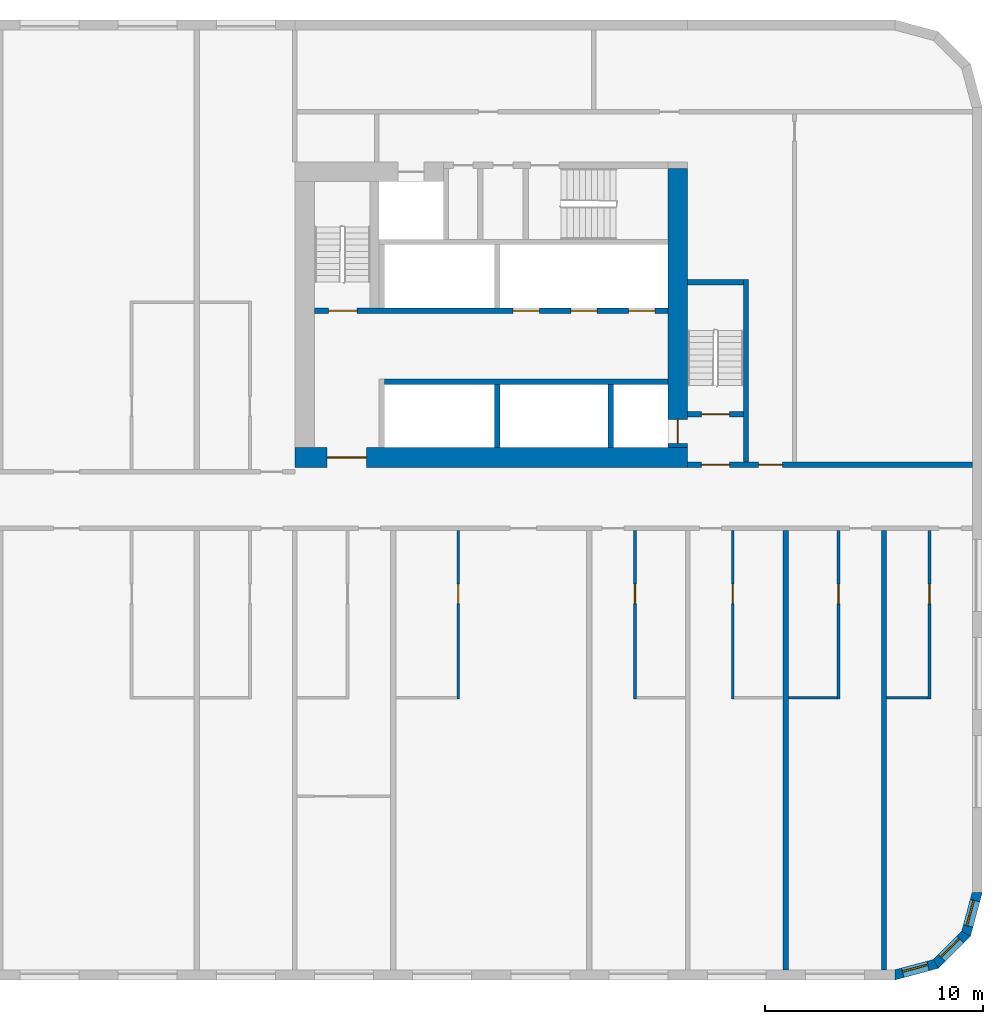
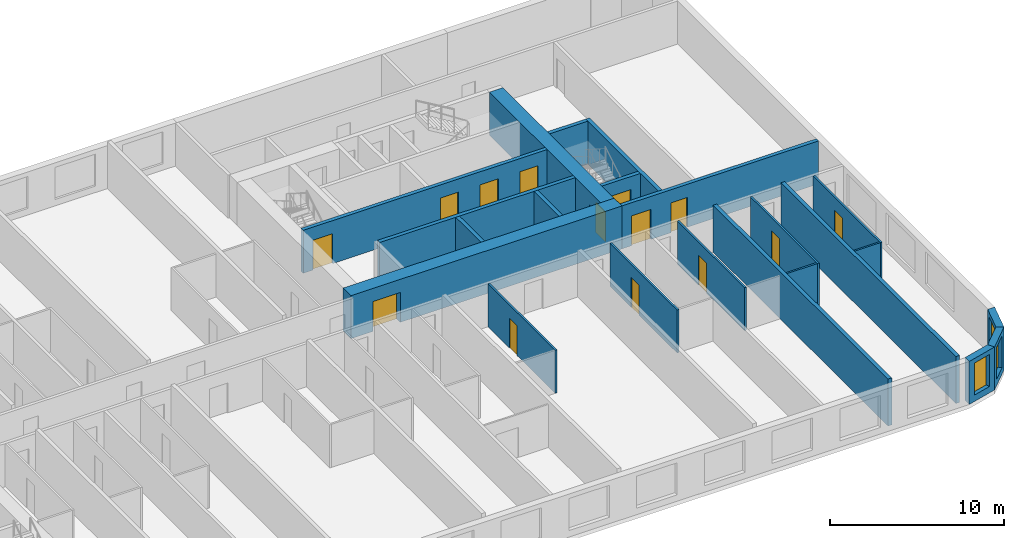
# One storey, part 7 of 12: 22 walls, 14 doors, 3 windows, 17 openings.
"""IFC4 building model written with IfcOpenShell, lengths in metres."""

from ifc_helpers import new_model, si_unit, direction, frame, frame_2d, origin, place, context, subcontext, project, spatial, polyline, rectangle, outline, extrude, material, layer, layer_set, type_object, element, fill, save


model = new_model("IFC4")

# Units and contexts
model_context = context("Model", 3, precision=1e-05, world=origin(), true_north=direction((0.0, 1.0)))
body_context = subcontext(model_context, "Body", "Model", "MODEL_VIEW")
ifc_project = project(units=[si_unit("LENGTHUNIT", "METRE"), si_unit("AREAUNIT", "SQUARE_METRE"), si_unit("VOLUMEUNIT", "CUBIC_METRE"), si_unit("PLANEANGLEUNIT", "RADIAN"), si_unit("MASSUNIT", "GRAM", prefix="KILO")], contexts=[model_context])

# Site, building, storey
site_placement = place(None, origin())
site = spatial("IfcSite", under=ifc_project, at=site_placement, CompositionType="ELEMENT")
building_placement = place(site_placement, origin())
building = spatial("IfcBuilding", under=site, at=building_placement, Name="Kajstack Hotel Tower", CompositionType="ELEMENT")
storey_placement = place(building_placement, frame((0.0, 0.0, 83.10009765625)))
storey = spatial("IfcBuildingStorey", under=building, at=storey_placement, Name="L16", CompositionType="ELEMENT", Elevation=83.10009765625)

# Wall, opening, door
ifc_material_1 = material(Name="Concrete C60/75", Category="concrete")
ifc_layer_1 = layer(ifc_material_1, 0.89990234375)
ifc_layer_set_1 = layer_set([ifc_layer_1], Name="Core wall 900")
wall_type_1 = type_object("IfcWallType", Name="Core wall 900", PredefinedType="SHEAR", material=ifc_layer_set_1)
wall_1_placement = place(storey_placement, frame((13.5, 1.949951171875, 0.0), z_axis=(0.0, 0.0, 1.0), x_axis=(1.0, 0.0, 0.0)))
wall_1 = element("IfcWall", 1, at=wall_1_placement, inside=storey, type_object=wall_type_1, Name="Core wall E RN", PredefinedType="SHEAR", context=body_context, shape_type="SweptSolid", body=[
    extrude(rectangle(XDim=18.0, YDim=0.89990234375, at=frame_2d((9.0, 0.0))), origin(), (0.0, 0.0, 1.0), 3.02001953125),
])
opening_1_placement = place(wall_1_placement, frame((1.47509765625, 0.0, 0.0)))
opening_1 = element("IfcOpeningElement", 2, at=opening_1_placement, cuts=wall_1, Name="Opening 16E06", PredefinedType="OPENING", context=body_context, shape_type="SweptSolid", body=[
    extrude(rectangle(XDim=1.800048828125, YDim=2.10009765625, at=frame_2d((0.89990234375, 1.050048828125))), frame((0.0, 0.4599609375, 0.0), z_axis=(0.0, -1.0, 0.0), x_axis=(1.0, 0.0, 0.0)), (0.0, 0.0, 1.0), 0.919921875),
])
ifc_material_2 = material(Name="Glazed steel frame, fire-rated glass", Category="steel")
door_type_1 = type_object("IfcDoorType", Name="Lobby double door 1800", OperationType="DOUBLE_DOOR_DOUBLE_SWING", PredefinedType="DOOR", material=ifc_material_2)
door_1_placement = place(opening_1_placement, origin())
door_1 = element("IfcDoor", 3, at=door_1_placement, inside=storey, type_object=door_type_1, Name="Door 16E06", OperationType="DOUBLE_DOOR_DOUBLE_SWING", OverallHeight=2.10009765625, OverallWidth=1.800048828125, PredefinedType="DOOR", context=body_context, shape_type="SweptSolid", body=[
    extrude(rectangle(XDim=1.800048828125, YDim=2.10009765625, at=frame_2d((0.89990234375, 1.050048828125))), frame((0.0, 0.02490234375, 0.0), z_axis=(0.0, -1.0, 0.0), x_axis=(1.0, 0.0, 0.0)), (0.0, 0.0, 1.0), 0.050048828125),
])
fill(opening_1, door_1)

wall_2_placement = place(storey_placement, frame((31.050048828125, 2.39990234375, 0.0), z_axis=(0.0, 0.0, 1.0), x_axis=(0.0, 1.0, 0.0)))
wall_2 = element("IfcWall", 4, at=wall_2_placement, inside=storey, type_object=wall_type_1, Name="Core wall E RW", PredefinedType="SHEAR", context=body_context, shape_type="SweptSolid", body=[
    extrude(rectangle(XDim=12.800048828125, YDim=0.89990234375, at=frame_2d((6.39990234375, 0.0))), origin(), (0.0, 0.0, 1.0), 3.02001953125),
])
opening_2_placement = place(wall_2_placement, frame((0.199951171875, 0.0, 0.0)))
opening_2 = element("IfcOpeningElement", 5, at=opening_2_placement, cuts=wall_2, Name="Opening LD-FF2", PredefinedType="OPENING", context=body_context, shape_type="SweptSolid", body=[
    extrude(rectangle(XDim=1.10009765625, YDim=2.10009765625, at=frame_2d((0.550048828125, 1.050048828125))), frame((0.0, 0.4599609375, 0.0), z_axis=(0.0, -1.0, 0.0), x_axis=(1.0, 0.0, 0.0)), (0.0, 0.0, 1.0), 0.919921875),
])
ifc_material_3 = material(Name="Stainless steel", Category="steel")
door_type_2 = type_object("IfcDoorType", Name="Fire-fighting lift landing door 1100", OperationType="SLIDING_TO_LEFT", PredefinedType="DOOR", material=ifc_material_3)
door_2_placement = place(opening_2_placement, origin())
door_2 = element("IfcDoor", 6, at=door_2_placement, inside=storey, type_object=door_type_2, Name="Landing door FF2", OperationType="SLIDING_TO_LEFT", OverallHeight=2.10009765625, OverallWidth=1.10009765625, PredefinedType="DOOR", context=body_context, shape_type="SweptSolid", body=[
    extrude(rectangle(XDim=1.10009765625, YDim=2.10009765625, at=frame_2d((0.550048828125, 1.050048828125))), frame((0.0, 0.02490234375, 0.0), z_axis=(0.0, -1.0, 0.0), x_axis=(1.0, 0.0, 0.0)), (0.0, 0.0, 1.0), 0.050048828125),
])
fill(opening_2, door_2)

# Wall, opening, window
ifc_material_4 = material(Name="Terracotta-faced brick masonry", Category="masonry")
ifc_layer_2 = layer(ifc_material_4, 0.449951171875)
ifc_layer_set_2 = layer_set([ifc_layer_2], Name="EW-TERRA")
wall_type_2 = type_object("IfcWallType", Name="EW-TERRA", PredefinedType="SOLIDWALL", material=ifc_layer_set_2)
wall_3_placement = place(storey_placement, frame((40.941650390625, -21.78271484375, 0.0), z_axis=(0.0, 0.0, 1.0), x_axis=(0.965926999034, 0.25881466832, 0.0)))
wall_3 = element("IfcWall", 7, at=wall_3_placement, inside=storey, type_object=wall_type_2, Name="E-wall-L16-04-00", PredefinedType="SOLIDWALL", context=body_context, shape_type="SweptSolid", body=[
    extrude(outline(polyline([(0.000244140625, -0.22509765625), (2.070556640625, -0.224853515625), (1.9501953125, 0.22509765625), (0.12060546875, 0.22509765625), (0.000244140625, -0.22509765625)])), origin(), (0.0, 0.0, 1.0), 3.02001953125),
])
opening_3_placement = place(wall_3_placement, frame((0.435302734375, 0.0, 0.449951171875)))
opening_3 = element("IfcOpeningElement", 8, at=opening_3_placement, cuts=wall_3, Name="Opening W3", PredefinedType="OPENING", context=body_context, shape_type="SweptSolid", body=[
    extrude(rectangle(XDim=1.199951171875, YDim=2.25, at=frame_2d((0.60009765625, 1.125))), frame((0.0, 0.23486328125, 0.0), z_axis=(0.0, -1.0, 0.0), x_axis=(1.0, 0.0, 0.0)), (0.0, 0.0, 1.0), 0.469970703125),
])
ifc_material_5 = material(Name="Timber-aluminium window, triple glazed", Category="wood")
window_type = type_object("IfcWindowType", Name="WG3", PartitioningType="SINGLE_PANEL", PredefinedType="WINDOW", material=ifc_material_5)
window_1_placement = place(opening_3_placement, origin())
window_1 = element("IfcWindow", 9, at=window_1_placement, inside=storey, type_object=window_type, Name="Window W3 L16-04", OverallHeight=2.25, OverallWidth=1.199951171875, PartitioningType="SINGLE_PANEL", PredefinedType="WINDOW", context=body_context, shape_type="SweptSolid", body=[
    extrude(rectangle(XDim=1.199951171875, YDim=2.25, at=frame_2d((0.60009765625, 1.125))), frame((0.0, 0.090087890625, 0.0), z_axis=(0.0, -1.0, 0.0), x_axis=(1.0, 0.0, 0.0)), (0.0, 0.0, 1.0), 0.06005859375),
])
fill(opening_3, window_1)

wall_4_placement = place(storey_placement, frame((42.8408203125, -21.304931640625, 0.0), z_axis=(0.0, 0.0, 1.0), x_axis=(0.707106781187, 0.707106781187, 0.0)))
wall_4 = element("IfcWall", 10, at=wall_4_placement, inside=storey, type_object=wall_type_2, Name="E-wall-L16-05-00", PredefinedType="SOLIDWALL", context=body_context, shape_type="SweptSolid", body=[
    extrude(outline(polyline([(0.0, -0.22509765625), (2.070556640625, -0.22509765625), (1.949951171875, 0.224853515625), (0.12060546875, 0.224853515625), (0.0, -0.22509765625)])), origin(), (0.0, 0.0, 1.0), 3.02001953125),
])
opening_4_placement = place(wall_4_placement, frame((0.435302734375, 0.0, 0.449951171875)))
opening_4 = element("IfcOpeningElement", 11, at=opening_4_placement, cuts=wall_4, Name="Opening W3", PredefinedType="OPENING", context=body_context, shape_type="SweptSolid", body=[
    extrude(rectangle(XDim=1.199951171875, YDim=2.25, at=frame_2d((0.60009765625, 1.125))), frame((0.0, 0.23486328125, 0.0), z_axis=(0.0, -1.0, 0.0), x_axis=(1.0, 0.0, 0.0)), (0.0, 0.0, 1.0), 0.469970703125),
])
window_2_placement = place(opening_4_placement, origin())
window_2 = element("IfcWindow", 12, at=window_2_placement, inside=storey, type_object=window_type, Name="Window W3 L16-05", OverallHeight=2.25, OverallWidth=1.199951171875, PartitioningType="SINGLE_PANEL", PredefinedType="WINDOW", context=body_context, shape_type="SweptSolid", body=[
    extrude(rectangle(XDim=1.199951171875, YDim=2.25, at=frame_2d((0.60009765625, 1.125))), frame((0.0, 0.090087890625, 0.0), z_axis=(0.0, -1.0, 0.0), x_axis=(1.0, 0.0, 0.0)), (0.0, 0.0, 1.0), 0.06005859375),
])
fill(opening_4, window_2)

wall_5_placement = place(storey_placement, frame((44.246826171875, -19.941650390625, 0.0), z_axis=(0.0, 0.0, 1.0), x_axis=(0.25881466832, 0.965926999034, 0.0)))
wall_5 = element("IfcWall", 13, at=wall_5_placement, inside=storey, type_object=wall_type_2, Name="E-wall-L16-06-00", PredefinedType="SOLIDWALL", context=body_context, shape_type="SweptSolid", body=[
    extrude(outline(polyline([(-0.000244140625, -0.224853515625), (2.0703125, -0.22509765625), (1.949951171875, 0.22509765625), (0.120361328125, 0.22509765625), (-0.000244140625, -0.224853515625)])), origin(), (0.0, 0.0, 1.0), 3.02001953125),
])
opening_5_placement = place(wall_5_placement, frame((0.435302734375, 0.0, 0.449951171875)))
opening_5 = element("IfcOpeningElement", 14, at=opening_5_placement, cuts=wall_5, Name="Opening W3", PredefinedType="OPENING", context=body_context, shape_type="SweptSolid", body=[
    extrude(rectangle(XDim=1.199951171875, YDim=2.25, at=frame_2d((0.60009765625, 1.125))), frame((0.0, 0.23486328125, 0.0), z_axis=(0.0, -1.0, 0.0), x_axis=(1.0, 0.0, 0.0)), (0.0, 0.0, 1.0), 0.469970703125),
])
window_3_placement = place(opening_5_placement, origin())
window_3 = element("IfcWindow", 15, at=window_3_placement, inside=storey, type_object=window_type, Name="Window W3 L16-06", OverallHeight=2.25, OverallWidth=1.199951171875, PartitioningType="SINGLE_PANEL", PredefinedType="WINDOW", context=body_context, shape_type="SweptSolid", body=[
    extrude(rectangle(XDim=1.199951171875, YDim=2.25, at=frame_2d((0.60009765625, 1.125))), frame((0.0, 0.090087890625, 0.0), z_axis=(0.0, -1.0, 0.0), x_axis=(1.0, 0.0, 0.0)), (0.0, 0.0, 1.0), 0.06005859375),
])
fill(opening_5, window_3)

# Wall, opening, door
ifc_material_6 = material(Name="Gypsum board and tiled backer on steel studs", Category="steel")
ifc_layer_3 = layer(ifc_material_6, 0.125)
ifc_layer_set_3 = layer_set([ifc_layer_3], Name="En-suite wall 125")
wall_type_3 = type_object("IfcWallType", Name="En-suite wall 125", PredefinedType="PARTITIONING", material=ifc_layer_set_3)
wall_6_placement = place(storey_placement, frame((20.988037109375, -9.125, 0.0), z_axis=(0.0, 0.0, 1.0), x_axis=(0.0, 1.0, 0.0)))
wall_6 = element("IfcWall", 16, at=wall_6_placement, inside=storey, type_object=wall_type_3, Name="G-wall-L16-040", PredefinedType="PARTITIONING", context=body_context, shape_type="SweptSolid", body=[
    extrude(rectangle(XDim=7.72509765625, YDim=0.125, at=frame_2d((3.862548828125, 0.0))), origin(), (0.0, 0.0, 1.0), 3.02001953125),
])
opening_6_placement = place(wall_6_placement, frame((4.375, 0.0, 0.0)))
opening_6 = element("IfcOpeningElement", 17, at=opening_6_placement, cuts=wall_6, Name="Opening 16034", PredefinedType="OPENING", context=body_context, shape_type="SweptSolid", body=[
    extrude(rectangle(XDim=0.89990234375, YDim=2.10009765625, at=frame_2d((0.449951171875, 1.050048828125))), frame((0.0, 0.072509765625, 0.0), z_axis=(0.0, -1.0, 0.0), x_axis=(1.0, 0.0, 0.0)), (0.0, 0.0, 1.0), 0.14501953125),
])
ifc_material_7 = material(Name="Painted timber door leaf", Category="wood")
door_type_3 = type_object("IfcDoorType", Name="Room door 900", OperationType="SINGLE_SWING_LEFT", PredefinedType="DOOR", material=ifc_material_7)
door_3_placement = place(opening_6_placement, origin())
door_3 = element("IfcDoor", 18, at=door_3_placement, inside=storey, type_object=door_type_3, Name="G-door-L16-34", OperationType="SINGLE_SWING_RIGHT", OverallHeight=2.10009765625, OverallWidth=0.89990234375, PredefinedType="DOOR", context=body_context, shape_type="SweptSolid", body=[
    extrude(rectangle(XDim=0.89990234375, YDim=2.10009765625, at=frame_2d((0.449951171875, 1.050048828125))), frame((0.0, 0.02490234375, 0.0), z_axis=(0.0, -1.0, 0.0), x_axis=(1.0, 0.0, 0.0)), (0.0, 0.0, 1.0), 0.050048828125),
])
fill(opening_6, door_3)

wall_7_placement = place(storey_placement, frame((29.0869140625, -9.125, 0.0), z_axis=(0.0, 0.0, 1.0), x_axis=(0.0, 1.0, 0.0)))
wall_7 = element("IfcWall", 19, at=wall_7_placement, inside=storey, type_object=wall_type_3, Name="G-wall-L16-043", PredefinedType="PARTITIONING", context=body_context, shape_type="SweptSolid", body=[
    extrude(rectangle(XDim=7.72509765625, YDim=0.125, at=frame_2d((3.862548828125, 0.0))), origin(), (0.0, 0.0, 1.0), 3.02001953125),
])
opening_7_placement = place(wall_7_placement, frame((4.375, 0.0, 0.0)))
opening_7 = element("IfcOpeningElement", 20, at=opening_7_placement, cuts=wall_7, Name="Opening 16036", PredefinedType="OPENING", context=body_context, shape_type="SweptSolid", body=[
    extrude(rectangle(XDim=0.89990234375, YDim=2.10009765625, at=frame_2d((0.449951171875, 1.050048828125))), frame((0.0, 0.072509765625, 0.0), z_axis=(0.0, -1.0, 0.0), x_axis=(1.0, 0.0, 0.0)), (0.0, 0.0, 1.0), 0.14501953125),
])
door_4_placement = place(opening_7_placement, origin())
door_4 = element("IfcDoor", 21, at=door_4_placement, inside=storey, type_object=door_type_3, Name="G-door-L16-36", OperationType="SINGLE_SWING_LEFT", OverallHeight=2.10009765625, OverallWidth=0.89990234375, PredefinedType="DOOR", context=body_context, shape_type="SweptSolid", body=[
    extrude(rectangle(XDim=0.89990234375, YDim=2.10009765625, at=frame_2d((0.449951171875, 1.050048828125))), frame((0.0, 0.02490234375, 0.0), z_axis=(0.0, -1.0, 0.0), x_axis=(1.0, 0.0, 0.0)), (0.0, 0.0, 1.0), 0.050048828125),
])
fill(opening_7, door_4)

wall_8_placement = place(storey_placement, frame((33.56201171875, -9.125, 0.0), z_axis=(0.0, 0.0, 1.0), x_axis=(0.0, 1.0, 0.0)))
wall_8 = element("IfcWall", 22, at=wall_8_placement, inside=storey, type_object=wall_type_3, Name="G-wall-L16-045", PredefinedType="PARTITIONING", context=body_context, shape_type="SweptSolid", body=[
    extrude(rectangle(XDim=7.72509765625, YDim=0.125, at=frame_2d((3.862548828125, 0.0))), origin(), (0.0, 0.0, 1.0), 3.02001953125),
])
opening_8_placement = place(wall_8_placement, frame((4.375, 0.0, 0.0)))
opening_8 = element("IfcOpeningElement", 23, at=opening_8_placement, cuts=wall_8, Name="Opening 16038", PredefinedType="OPENING", context=body_context, shape_type="SweptSolid", body=[
    extrude(rectangle(XDim=0.89990234375, YDim=2.10009765625, at=frame_2d((0.449951171875, 1.050048828125))), frame((0.0, 0.072509765625, 0.0), z_axis=(0.0, -1.0, 0.0), x_axis=(1.0, 0.0, 0.0)), (0.0, 0.0, 1.0), 0.14501953125),
])
door_5_placement = place(opening_8_placement, origin())
door_5 = element("IfcDoor", 24, at=door_5_placement, inside=storey, type_object=door_type_3, Name="G-door-L16-38", OperationType="SINGLE_SWING_LEFT", OverallHeight=2.10009765625, OverallWidth=0.89990234375, PredefinedType="DOOR", context=body_context, shape_type="SweptSolid", body=[
    extrude(rectangle(XDim=0.89990234375, YDim=2.10009765625, at=frame_2d((0.449951171875, 1.050048828125))), frame((0.0, 0.02490234375, 0.0), z_axis=(0.0, -1.0, 0.0), x_axis=(1.0, 0.0, 0.0)), (0.0, 0.0, 1.0), 0.050048828125),
])
fill(opening_8, door_5)

wall_9_placement = place(storey_placement, frame((38.4130859375, -9.125, 0.0), z_axis=(0.0, 0.0, 1.0), x_axis=(0.0, 1.0, 0.0)))
wall_9 = element("IfcWall", 25, at=wall_9_placement, inside=storey, type_object=wall_type_3, Name="G-wall-L16-047", PredefinedType="PARTITIONING", context=body_context, shape_type="SweptSolid", body=[
    extrude(rectangle(XDim=7.72509765625, YDim=0.125, at=frame_2d((3.862548828125, 0.0))), origin(), (0.0, 0.0, 1.0), 3.02001953125),
])
opening_9_placement = place(wall_9_placement, frame((4.375, 0.0, 0.0)))
opening_9 = element("IfcOpeningElement", 26, at=opening_9_placement, cuts=wall_9, Name="Opening 16040", PredefinedType="OPENING", context=body_context, shape_type="SweptSolid", body=[
    extrude(rectangle(XDim=0.89990234375, YDim=2.10009765625, at=frame_2d((0.449951171875, 1.050048828125))), frame((0.0, 0.072509765625, 0.0), z_axis=(0.0, -1.0, 0.0), x_axis=(1.0, 0.0, 0.0)), (0.0, 0.0, 1.0), 0.14501953125),
])
door_6_placement = place(opening_9_placement, origin())
door_6 = element("IfcDoor", 27, at=door_6_placement, inside=storey, type_object=door_type_3, Name="G-door-L16-40", OperationType="SINGLE_SWING_LEFT", OverallHeight=2.10009765625, OverallWidth=0.89990234375, PredefinedType="DOOR", context=body_context, shape_type="SweptSolid", body=[
    extrude(rectangle(XDim=0.89990234375, YDim=2.10009765625, at=frame_2d((0.449951171875, 1.050048828125))), frame((0.0, 0.02490234375, 0.0), z_axis=(0.0, -1.0, 0.0), x_axis=(1.0, 0.0, 0.0)), (0.0, 0.0, 1.0), 0.050048828125),
])
fill(opening_9, door_6)

# Wall
wall_10_placement = place(storey_placement, frame((36.125, -9.06201171875, 0.0), z_axis=(0.0, 0.0, 1.0), x_axis=(1.0, 0.0, 0.0)))
element("IfcWall", 28, at=wall_10_placement, inside=storey, type_object=wall_type_3, Name="G-wall-L16-048", PredefinedType="PARTITIONING", context=body_context, shape_type="SweptSolid", body=[
    extrude(rectangle(XDim=2.22509765625, YDim=0.125, at=frame_2d((1.112548828125, 0.0))), origin(), (0.0, 0.0, 1.0), 3.02001953125),
])

# Wall, opening, door
wall_11_placement = place(storey_placement, frame((42.5869140625, -9.125, 0.0), z_axis=(0.0, 0.0, 1.0), x_axis=(0.0, 1.0, 0.0)))
wall_11 = element("IfcWall", 29, at=wall_11_placement, inside=storey, type_object=wall_type_3, Name="G-wall-L16-049", PredefinedType="PARTITIONING", context=body_context, shape_type="SweptSolid", body=[
    extrude(rectangle(XDim=7.72509765625, YDim=0.125, at=frame_2d((3.862548828125, 0.0))), origin(), (0.0, 0.0, 1.0), 3.02001953125),
])
opening_10_placement = place(wall_11_placement, frame((4.375, 0.0, 0.0)))
opening_10 = element("IfcOpeningElement", 30, at=opening_10_placement, cuts=wall_11, Name="Opening 16042", PredefinedType="OPENING", context=body_context, shape_type="SweptSolid", body=[
    extrude(rectangle(XDim=0.89990234375, YDim=2.10009765625, at=frame_2d((0.449951171875, 1.050048828125))), frame((0.0, 0.072509765625, 0.0), z_axis=(0.0, -1.0, 0.0), x_axis=(1.0, 0.0, 0.0)), (0.0, 0.0, 1.0), 0.14501953125),
])
door_7_placement = place(opening_10_placement, origin())
door_7 = element("IfcDoor", 31, at=door_7_placement, inside=storey, type_object=door_type_3, Name="G-door-L16-42", OperationType="SINGLE_SWING_LEFT", OverallHeight=2.10009765625, OverallWidth=0.89990234375, PredefinedType="DOOR", context=body_context, shape_type="SweptSolid", body=[
    extrude(rectangle(XDim=0.89990234375, YDim=2.10009765625, at=frame_2d((0.449951171875, 1.050048828125))), frame((0.0, 0.02490234375, 0.0), z_axis=(0.0, -1.0, 0.0), x_axis=(1.0, 0.0, 0.0)), (0.0, 0.0, 1.0), 0.050048828125),
])
fill(opening_10, door_7)

# Walls
wall_12_placement = place(storey_placement, frame((40.625, -9.06201171875, 0.0), z_axis=(0.0, 0.0, 1.0), x_axis=(1.0, 0.0, 0.0)))
element("IfcWall", 32, at=wall_12_placement, inside=storey, type_object=wall_type_3, Name="G-wall-L16-050", PredefinedType="PARTITIONING", context=body_context, shape_type="SweptSolid", body=[
    extrude(rectangle(XDim=1.89990234375, YDim=0.125, at=frame_2d((0.949951171875, 0.0))), origin(), (0.0, 0.0, 1.0), 3.02001953125),
])
ifc_material_8 = material(Name="Concrete C50/60", Category="concrete")
ifc_layer_4 = layer(ifc_material_8, 0.300048828125)
ifc_layer_set_4 = layer_set([ifc_layer_4], Name="Hoistway divider wall 300")
wall_type_4 = type_object("IfcWallType", Name="Hoistway divider wall 300", PredefinedType="SHEAR", material=ifc_layer_set_4)
wall_13_placement = place(storey_placement, frame((22.77490234375, 2.39990234375, 0.0), z_axis=(0.0, 0.0, 1.0), x_axis=(0.0, 1.0, 0.0)))
element("IfcWall", 33, at=wall_13_placement, inside=storey, type_object=wall_type_4, Name="Core wall E AP2", PredefinedType="SHEAR", context=body_context, shape_type="SweptSolid", body=[
    extrude(rectangle(XDim=2.900146484375, YDim=0.25, at=frame_2d((1.4501953125, 0.0))), origin(), (0.0, 0.0, 1.0), 3.02001953125),
])
ifc_layer_5 = layer(ifc_material_1, 0.25)
ifc_layer_set_5 = layer_set([ifc_layer_5], Name="RC cross wall 250 C60/75")
wall_type_5 = type_object("IfcWallType", Name="RC cross wall 250 C60/75", PredefinedType="SHEAR", material=ifc_layer_set_5)
for number, where, z_axis, x_axis, name in (
    (34, (36.0, -21.5400390625, 0.0), (0.0, 0.0, 1.0), (0.0, 1.0, 0.0), "S-wall-L16-13"),
    (35, (40.5, -21.5400390625, 0.0), (0.0, 0.0, 1.0), (0.0, 1.0, 0.0), "S-wall-L16-14"),
):
    element("IfcWall", number, at=place(storey_placement, frame(where, z_axis=z_axis, x_axis=x_axis)), inside=storey, type_object=wall_type_5, Name=name, PredefinedType="SHEAR", context=body_context, shape_type="SweptSolid", body=[
        extrude(rectangle(XDim=20.14013671875, YDim=0.25, at=frame_2d((10.070068359375, 0.0))), origin(), (0.0, 0.0, 1.0), 3.2998046875),
    ])

# Wall, openings, doors
ifc_material_9 = material(Name="Gypsum board on steel studs, mineral wool", Category="steel")
ifc_layer_6 = layer(ifc_material_9, 0.199951171875)
ifc_layer_set_6 = layer_set([ifc_layer_6], Name="Service partition 200")
wall_type_6 = type_object("IfcWallType", Name="Service partition 200", PredefinedType="PARTITIONING", material=ifc_layer_set_6)
wall_14_placement = place(storey_placement, frame((31.5, 1.625, 0.0), z_axis=(0.0, 0.0, 1.0), x_axis=(1.0, 0.0, 0.0)))
wall_14 = element("IfcWall", 36, at=wall_14_placement, inside=storey, type_object=wall_type_6, Name="Partition E SN", PredefinedType="PARTITIONING", context=body_context, shape_type="SweptSolid", body=[
    extrude(rectangle(XDim=13.050048828125, YDim=0.25, at=frame_2d((6.52490234375, 0.0))), origin(), (0.0, 0.0, 1.0), 3.02001953125),
])
opening_11_placement = place(wall_14_placement, frame((0.625, 0.0, 0.0)))
opening_11 = element("IfcOpeningElement", 37, at=opening_11_placement, cuts=wall_14, Name="Opening 16E07", PredefinedType="OPENING", context=body_context, shape_type="SweptSolid", body=[
    extrude(rectangle(XDim=1.300048828125, YDim=2.10009765625, at=frame_2d((0.64990234375, 1.050048828125))), frame((0.0, 0.135009765625, 0.0), z_axis=(0.0, -1.0, 0.0), x_axis=(1.0, 0.0, 0.0)), (0.0, 0.0, 1.0), 0.27001953125),
])
opening_12_placement = place(wall_14_placement, frame((3.25, 0.0, 0.0)))
opening_12 = element("IfcOpeningElement", 38, at=opening_12_placement, cuts=wall_14, Name="Opening 16E09", PredefinedType="OPENING", context=body_context, shape_type="SweptSolid", body=[
    extrude(rectangle(XDim=1.10009765625, YDim=2.10009765625, at=frame_2d((0.550048828125, 1.050048828125))), frame((0.0, 0.135009765625, 0.0), z_axis=(0.0, -1.0, 0.0), x_axis=(1.0, 0.0, 0.0)), (0.0, 0.0, 1.0), 0.27001953125),
])
ifc_material_10 = material(Name="Steel leaf, fire-rated", Category="steel")
door_type_4 = type_object("IfcDoorType", Name="Fire lobby door 1300", OperationType="SINGLE_SWING_LEFT", PredefinedType="DOOR", material=ifc_material_10)
door_8_placement = place(opening_11_placement, origin())
door_8 = element("IfcDoor", 39, at=door_8_placement, inside=storey, type_object=door_type_4, Name="Door 16E07", OperationType="SINGLE_SWING_LEFT", OverallHeight=2.10009765625, OverallWidth=1.300048828125, PredefinedType="DOOR", context=body_context, shape_type="SweptSolid", body=[
    extrude(rectangle(XDim=1.300048828125, YDim=2.10009765625, at=frame_2d((0.64990234375, 1.050048828125))), frame((0.0, 0.02490234375, 0.0), z_axis=(0.0, -1.0, 0.0), x_axis=(1.0, 0.0, 0.0)), (0.0, 0.0, 1.0), 0.050048828125),
])
fill(opening_11, door_8)
ifc_material_11 = material(Name="Timber leaf, fire-rated", Category="wood")
door_type_5 = type_object("IfcDoorType", Name="Service corridor door 1100", OperationType="SINGLE_SWING_LEFT", PredefinedType="DOOR", material=ifc_material_11)
door_9_placement = place(opening_12_placement, origin())
door_9 = element("IfcDoor", 40, at=door_9_placement, inside=storey, type_object=door_type_5, Name="Door 16E09", OperationType="SINGLE_SWING_LEFT", OverallHeight=2.10009765625, OverallWidth=1.10009765625, PredefinedType="DOOR", context=body_context, shape_type="SweptSolid", body=[
    extrude(rectangle(XDim=1.10009765625, YDim=2.10009765625, at=frame_2d((0.550048828125, 1.050048828125))), frame((0.0, 0.02490234375, 0.0), z_axis=(0.0, -1.0, 0.0), x_axis=(1.0, 0.0, 0.0)), (0.0, 0.0, 1.0), 0.050048828125),
])
fill(opening_12, door_9)

# Walls
ifc_layer_7 = layer(ifc_material_8, 0.25)
ifc_layer_set_7 = layer_set([ifc_layer_7], Name="Shaft wall 250")
wall_type_7 = type_object("IfcWallType", Name="Shaft wall 250", PredefinedType="SHEAR", material=ifc_layer_set_7)
wall_15_placement = place(storey_placement, frame((17.60009765625, 5.425048828125, 0.0), z_axis=(0.0, 0.0, 1.0), x_axis=(1.0, 0.0, 0.0)))
element("IfcWall", 41, at=wall_15_placement, inside=storey, type_object=wall_type_7, Name="Core wall E FA", PredefinedType="SHEAR", context=body_context, shape_type="SweptSolid", body=[
    extrude(rectangle(XDim=13.0, YDim=0.25, at=frame_2d((6.5, 0.0))), origin(), (0.0, 0.0, 1.0), 3.02001953125),
])
wall_16_placement = place(storey_placement, frame((27.97509765625, 2.39990234375, 0.0), z_axis=(0.0, 0.0, 1.0), x_axis=(0.0, 1.0, 0.0)))
element("IfcWall", 42, at=wall_16_placement, inside=storey, type_object=wall_type_7, Name="Core wall E AP0", PredefinedType="SHEAR", context=body_context, shape_type="SweptSolid", body=[
    extrude(rectangle(XDim=2.900146484375, YDim=0.25, at=frame_2d((1.4501953125, 0.0))), origin(), (0.0, 0.0, 1.0), 3.02001953125),
])

# Wall, openings, doors
wall_17_placement = place(storey_placement, frame((14.39990234375, 8.675048828125, 0.0), z_axis=(0.0, 0.0, 1.0), x_axis=(1.0, 0.0, 0.0)))
wall_17 = element("IfcWall", 43, at=wall_17_placement, inside=storey, type_object=wall_type_7, Name="Core wall E FB", PredefinedType="SHEAR", context=body_context, shape_type="SweptSolid", body=[
    extrude(rectangle(XDim=16.2001953125, YDim=0.25, at=frame_2d((8.10009765625, 0.0))), origin(), (0.0, 0.0, 1.0), 3.02001953125),
])
opening_13_placement = place(wall_17_placement, frame((14.39990234375, 0.0, 0.0)))
opening_13 = element("IfcOpeningElement", 44, at=opening_13_placement, cuts=wall_17, Name="Opening LD-LR4", PredefinedType="OPENING", context=body_context, shape_type="SweptSolid", body=[
    extrude(rectangle(XDim=1.199951171875, YDim=2.10009765625, at=frame_2d((0.60009765625, 1.050048828125))), frame((0.0, 0.135009765625, 0.0), z_axis=(0.0, -1.0, 0.0), x_axis=(1.0, 0.0, 0.0)), (0.0, 0.0, 1.0), 0.27001953125),
])
opening_14_placement = place(wall_17_placement, frame((11.75, 0.0, 0.0)))
opening_14 = element("IfcOpeningElement", 45, at=opening_14_placement, cuts=wall_17, Name="Opening LD-LR5", PredefinedType="OPENING", context=body_context, shape_type="SweptSolid", body=[
    extrude(rectangle(XDim=1.199951171875, YDim=2.10009765625, at=frame_2d((0.60009765625, 1.050048828125))), frame((0.0, 0.135009765625, 0.0), z_axis=(0.0, -1.0, 0.0), x_axis=(1.0, 0.0, 0.0)), (0.0, 0.0, 1.0), 0.27001953125),
])
opening_15_placement = place(wall_17_placement, frame((9.10009765625, 0.0, 0.0)))
opening_15 = element("IfcOpeningElement", 46, at=opening_15_placement, cuts=wall_17, Name="Opening LD-LR6", PredefinedType="OPENING", context=body_context, shape_type="SweptSolid", body=[
    extrude(rectangle(XDim=1.199951171875, YDim=2.10009765625, at=frame_2d((0.60009765625, 1.050048828125))), frame((0.0, 0.135009765625, 0.0), z_axis=(0.0, -1.0, 0.0), x_axis=(1.0, 0.0, 0.0)), (0.0, 0.0, 1.0), 0.27001953125),
])
opening_16_placement = place(wall_17_placement, frame((0.64990234375, 0.0, 0.0)))
opening_16 = element("IfcOpeningElement", 47, at=opening_16_placement, cuts=wall_17, Name="Opening 16E10", PredefinedType="OPENING", context=body_context, shape_type="SweptSolid", body=[
    extrude(rectangle(XDim=1.300048828125, YDim=2.10009765625, at=frame_2d((0.64990234375, 1.050048828125))), frame((0.0, 0.135009765625, 0.0), z_axis=(0.0, -1.0, 0.0), x_axis=(1.0, 0.0, 0.0)), (0.0, 0.0, 1.0), 0.27001953125),
])
door_type_6 = type_object("IfcDoorType", Name="Lift landing door 1200", OperationType="SLIDING_TO_LEFT", PredefinedType="DOOR", material=ifc_material_3)
door_10_placement = place(opening_13_placement, origin())
door_10 = element("IfcDoor", 48, at=door_10_placement, inside=storey, type_object=door_type_6, Name="Landing door LR4", OperationType="SLIDING_TO_LEFT", OverallHeight=2.10009765625, OverallWidth=1.199951171875, PredefinedType="DOOR", context=body_context, shape_type="SweptSolid", body=[
    extrude(rectangle(XDim=1.199951171875, YDim=2.10009765625, at=frame_2d((0.60009765625, 1.050048828125))), frame((0.0, 0.02490234375, 0.0), z_axis=(0.0, -1.0, 0.0), x_axis=(1.0, 0.0, 0.0)), (0.0, 0.0, 1.0), 0.050048828125),
])
fill(opening_13, door_10)
door_11_placement = place(opening_14_placement, origin())
door_11 = element("IfcDoor", 49, at=door_11_placement, inside=storey, type_object=door_type_6, Name="Landing door LR5", OperationType="SLIDING_TO_RIGHT", OverallHeight=2.10009765625, OverallWidth=1.199951171875, PredefinedType="DOOR", context=body_context, shape_type="SweptSolid", body=[
    extrude(rectangle(XDim=1.199951171875, YDim=2.10009765625, at=frame_2d((0.60009765625, 1.050048828125))), frame((0.0, 0.02490234375, 0.0), z_axis=(0.0, -1.0, 0.0), x_axis=(1.0, 0.0, 0.0)), (0.0, 0.0, 1.0), 0.050048828125),
])
fill(opening_14, door_11)
door_12_placement = place(opening_15_placement, origin())
door_12 = element("IfcDoor", 50, at=door_12_placement, inside=storey, type_object=door_type_6, Name="Landing door LR6", OperationType="SLIDING_TO_RIGHT", OverallHeight=2.10009765625, OverallWidth=1.199951171875, PredefinedType="DOOR", context=body_context, shape_type="SweptSolid", body=[
    extrude(rectangle(XDim=1.199951171875, YDim=2.10009765625, at=frame_2d((0.60009765625, 1.050048828125))), frame((0.0, 0.02490234375, 0.0), z_axis=(0.0, -1.0, 0.0), x_axis=(1.0, 0.0, 0.0)), (0.0, 0.0, 1.0), 0.050048828125),
])
fill(opening_15, door_12)
door_type_7 = type_object("IfcDoorType", Name="Stair door 1300", OperationType="SINGLE_SWING_LEFT", PredefinedType="DOOR", material=ifc_material_10)
door_13_placement = place(opening_16_placement, origin())
door_13 = element("IfcDoor", 51, at=door_13_placement, inside=storey, type_object=door_type_7, Name="Door 16E10", OperationType="SINGLE_SWING_LEFT", OverallHeight=2.10009765625, OverallWidth=1.300048828125, PredefinedType="DOOR", context=body_context, shape_type="SweptSolid", body=[
    extrude(rectangle(XDim=1.300048828125, YDim=2.10009765625, at=frame_2d((0.64990234375, 1.050048828125))), frame((0.0, 0.02490234375, 0.0), z_axis=(0.0, -1.0, 0.0), x_axis=(1.0, 0.0, 0.0)), (0.0, 0.0, 1.0), 0.050048828125),
])
fill(opening_16, door_13)

# Wall, opening, door
ifc_material_12 = material(Name="Concrete C40/50", Category="concrete")
ifc_layer_8 = layer(ifc_material_12, 0.25)
ifc_layer_set_8 = layer_set([ifc_layer_8], Name="Stair enclosure wall 250")
wall_type_8 = type_object("IfcWallType", Name="Stair enclosure wall 250", PredefinedType="SHEAR", material=ifc_layer_set_8)
wall_18_placement = place(storey_placement, frame((31.5, 3.925048828125, 0.0), z_axis=(0.0, 0.0, 1.0), x_axis=(1.0, 0.0, 0.0)))
wall_18 = element("IfcWall", 52, at=wall_18_placement, inside=storey, type_object=wall_type_8, Name="Core wall E W1N", PredefinedType="SHEAR", context=body_context, shape_type="SweptSolid", body=[
    extrude(rectangle(XDim=2.550048828125, YDim=0.25, at=frame_2d((1.27490234375, 0.0))), origin(), (0.0, 0.0, 1.0), 3.02001953125),
])
opening_17_placement = place(wall_18_placement, frame((0.625, 0.0, 0.0)))
opening_17 = element("IfcOpeningElement", 53, at=opening_17_placement, cuts=wall_18, Name="Opening 16E08", PredefinedType="OPENING", context=body_context, shape_type="SweptSolid", body=[
    extrude(rectangle(XDim=1.300048828125, YDim=2.10009765625, at=frame_2d((0.64990234375, 1.050048828125))), frame((0.0, 0.135009765625, 0.0), z_axis=(0.0, -1.0, 0.0), x_axis=(1.0, 0.0, 0.0)), (0.0, 0.0, 1.0), 0.27001953125),
])
door_14_placement = place(opening_17_placement, origin())
door_14 = element("IfcDoor", 54, at=door_14_placement, inside=storey, type_object=door_type_7, Name="Door 16E08", OperationType="SINGLE_SWING_LEFT", OverallHeight=2.10009765625, OverallWidth=1.300048828125, PredefinedType="DOOR", context=body_context, shape_type="SweptSolid", body=[
    extrude(rectangle(XDim=1.300048828125, YDim=2.10009765625, at=frame_2d((0.64990234375, 1.050048828125))), frame((0.0, 0.02490234375, 0.0), z_axis=(0.0, -1.0, 0.0), x_axis=(1.0, 0.0, 0.0)), (0.0, 0.0, 1.0), 0.050048828125),
])
fill(opening_17, door_14)

# Walls
wall_19_placement = place(storey_placement, frame((34.175048828125, 1.75, 0.0), z_axis=(0.0, 0.0, 1.0), x_axis=(0.0, 1.0, 0.0)))
element("IfcWall", 55, at=wall_19_placement, inside=storey, type_object=wall_type_8, Name="Core wall E W1W", PredefinedType="SHEAR", context=body_context, shape_type="SweptSolid", body=[
    extrude(rectangle(XDim=8.35009765625, YDim=0.25, at=frame_2d((4.175048828125, 0.0))), origin(), (0.0, 0.0, 1.0), 3.02001953125),
])
wall_20_placement = place(storey_placement, frame((31.5, 9.97509765625, 0.0), z_axis=(0.0, 0.0, 1.0), x_axis=(1.0, 0.0, 0.0)))
element("IfcWall", 56, at=wall_20_placement, inside=storey, type_object=wall_type_8, Name="Core wall E W1S", PredefinedType="SHEAR", context=body_context, shape_type="SweptSolid", body=[
    extrude(rectangle(XDim=2.550048828125, YDim=0.25, at=frame_2d((1.27490234375, 0.0))), origin(), (0.0, 0.0, 1.0), 3.02001953125),
])

save(model, "model.ifc")
